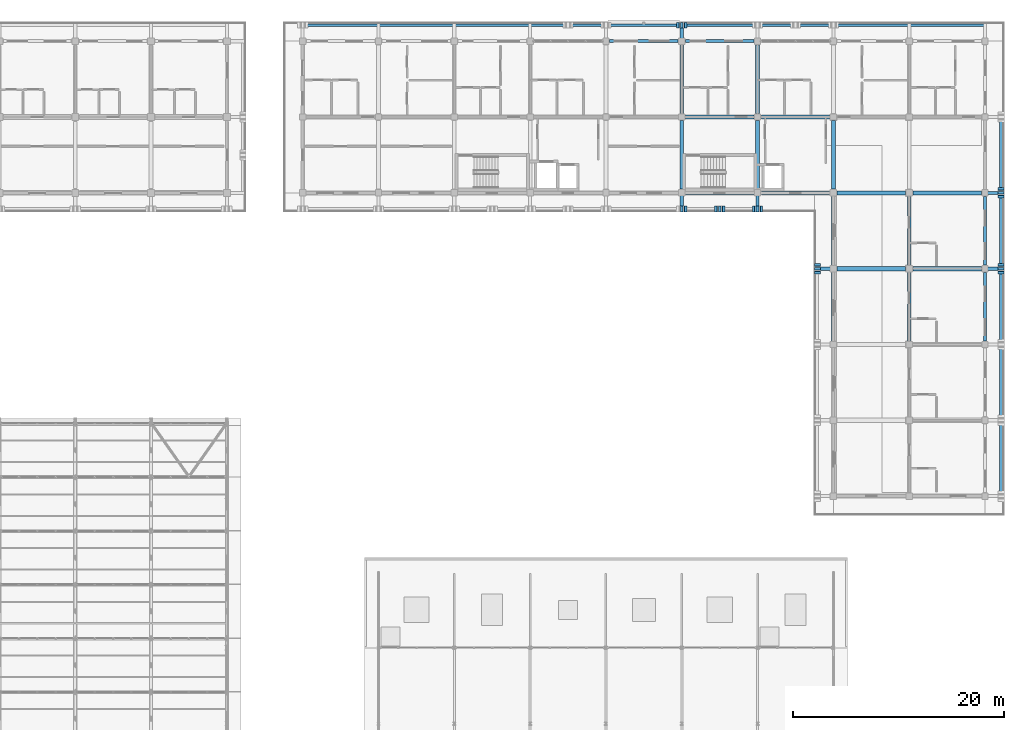
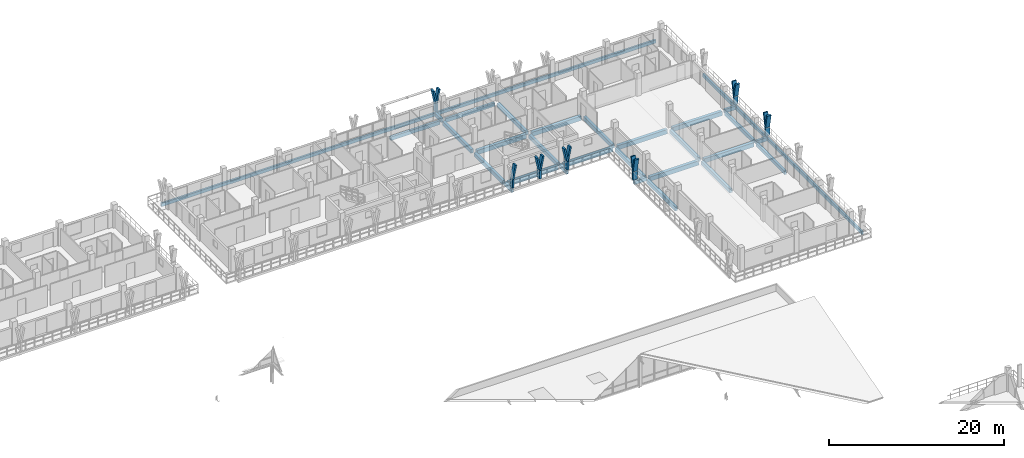
# One storey, part 90 of 157: 29 beams, 20 members.
"""IFC4 building model written with IfcOpenShell, lengths in metres."""

from ifc_helpers import new_model, si_unit, direction, frame, origin, origin_2d, place, context, subcontext, project, spatial, rectangle, extrude, material, material_profile, profile_set, type_object, element, save


model = new_model("IFC4")

# Units and contexts
model_context = context("Model", 3, precision=1e-05, world=origin(), true_north=direction((0.0, 1.0)))
body_context = subcontext(model_context, "Body", "Model", "MODEL_VIEW")
ifc_project = project(units=[si_unit("LENGTHUNIT", "METRE"), si_unit("AREAUNIT", "SQUARE_METRE"), si_unit("VOLUMEUNIT", "CUBIC_METRE"), si_unit("PLANEANGLEUNIT", "RADIAN"), si_unit("MASSUNIT", "GRAM", prefix="KILO")], contexts=[model_context])

# Site, building, storey
site_placement = place(None, origin())
site = spatial("IfcSite", under=ifc_project, at=site_placement, CompositionType="ELEMENT")
building_placement = place(site_placement, origin())
building = spatial("IfcBuilding", under=site, at=building_placement, Name="Suanplinth Sawtooth Commons", CompositionType="ELEMENT")
storey_placement = place(building_placement, frame((0.0, 0.0, 9.0)))
storey = spatial("IfcBuildingStorey", under=building, at=storey_placement, Name="L02", CompositionType="ELEMENT", Elevation=9.0)

# Beams
ifc_material_1 = material(Name="Precast concrete C40/50", Category="concrete")
ifc_material_profile_1 = material_profile(ifc_material_1, rectangle(XDim=0.39990234375, YDim=0.60009765625, at=origin_2d()), Name="PC-GDR 400x600")
ifc_profile_set_1 = profile_set([ifc_material_profile_1], Name="Precast concrete C40/50")
beam_type_1 = type_object("IfcBeamType", Name="B-05", PredefinedType="USERDEFINED", material=ifc_profile_set_1)
for number, where, z_axis, x_axis, name in (
    (1, (158.75, 108.0, -0.550048828125), (1.0, 0.0, 0.0), (0.0, 1.0, 0.0), "BMX-L02-B-22-15"),
    (2, (158.75, 115.199951171875, -0.550048828125), (1.0, 0.0, 0.0), (0.0, 1.0, 0.0), "BMX-L02-B-22-16"),
    (3, (165.949951171875, 108.0, -0.550048828125), (1.0, 0.0, 0.0), (0.0, 1.0, 0.0), "BMX-L02-B-23-15"),
    (4, (165.949951171875, 115.199951171875, -0.550048828125), (1.0, 0.0, 0.0), (0.0, 1.0, 0.0), "BMX-L02-B-23-16"),
    (5, (173.14990234375, 100.800048828125, -0.550048828125), (1.0, 0.0, 0.0), (0.0, 1.0, 0.0), "BMX-L02-B-24-14"),
    (6, (173.14990234375, 108.0, -0.550048828125), (1.0, 0.0, 0.0), (0.0, 1.0, 0.0), "BMX-L02-B-24-15"),
    (7, (180.35009765625, 100.800048828125, -0.550048828125), (1.0, 0.0, 0.0), (0.0, 1.0, 0.0), "BMX-L02-B-25-14"),
    (8, (180.35009765625, 108.0, -0.550048828125), (1.0, 0.0, 0.0), (0.0, 1.0, 0.0), "BMX-L02-B-25-15"),
):
    element("IfcBeam", number, at=place(storey_placement, frame(where, z_axis=z_axis, x_axis=x_axis)), inside=storey, type_object=beam_type_1, Name=name, ObjectType="GIRDER", PredefinedType="USERDEFINED", context=body_context, shape_type="SweptSolid", body=[
        extrude(rectangle(XDim=0.39990234375, YDim=0.60009765625, at=origin_2d()), origin(), (0.0, 0.0, 1.0), 6.5),
    ])
ifc_material_profile_2 = material_profile(ifc_material_1, rectangle(XDim=0.35009765625, YDim=0.550048828125, at=origin_2d()), Name="PC-BM 350x550")
ifc_profile_set_2 = profile_set([ifc_material_profile_2], Name="Precast concrete C40/50")
beam_type_2 = type_object("IfcBeamType", Name="B-06", PredefinedType="BEAM", material=ifc_profile_set_2)
for number, where, z_axis, x_axis, name in (
    (9, (158.39990234375, 108.35009765625, -0.52490234375), (0.0, 1.0, 0.0), (-1.0, 0.0, 0.0), "BMY-L02-B-22-15"),
    (10, (158.39990234375, 115.550048828125, -0.52490234375), (0.0, 1.0, 0.0), (-1.0, 0.0, 0.0), "BMY-L02-B-22-16"),
    (11, (165.60009765625, 108.35009765625, -0.52490234375), (0.0, 1.0, 0.0), (-1.0, 0.0, 0.0), "BMY-L02-B-23-15"),
    (12, (165.60009765625, 115.550048828125, -0.52490234375), (0.0, 1.0, 0.0), (-1.0, 0.0, 0.0), "BMY-L02-B-23-16"),
    (13, (172.800048828125, 93.949951171875, -0.52490234375), (0.0, 1.0, 0.0), (-1.0, 0.0, 0.0), "BMY-L02-B-24-13"),
    (14, (172.800048828125, 101.14990234375, -0.52490234375), (0.0, 1.0, 0.0), (-1.0, 0.0, 0.0), "BMY-L02-B-24-14"),
    (15, (172.800048828125, 108.35009765625, -0.52490234375), (0.0, 1.0, 0.0), (-1.0, 0.0, 0.0), "BMY-L02-B-24-15"),
    (16, (180.0, 93.949951171875, -0.52490234375), (0.0, 1.0, 0.0), (-1.0, 0.0, 0.0), "BMY-L02-B-25-13"),
    (17, (180.0, 101.14990234375, -0.52490234375), (0.0, 1.0, 0.0), (-1.0, 0.0, 0.0), "BMY-L02-B-25-14"),
):
    element("IfcBeam", number, at=place(storey_placement, frame(where, z_axis=z_axis, x_axis=x_axis)), inside=storey, type_object=beam_type_2, Name=name, PredefinedType="BEAM", context=body_context, shape_type="SweptSolid", body=[
        extrude(rectangle(XDim=0.35009765625, YDim=0.550048828125, at=origin_2d()), origin(), (0.0, 0.0, 1.0), 6.5),
    ])
ifc_material_profile_3 = material_profile(ifc_material_1, rectangle(XDim=0.300048828125, YDim=0.5, at=origin_2d()), Name="PC-BM 300x500")
ifc_profile_set_3 = profile_set([ifc_material_profile_3], Name="Precast concrete C40/50")
beam_type_3 = type_object("IfcBeamType", Name="B-07", PredefinedType="BEAM", material=ifc_profile_set_3)
for number, where, z_axis, x_axis, name in (
    (18, (158.39990234375, 122.39990234375, -0.429931640625), (0.0, 1.0, 0.0), (-1.0, 0.0, 0.0), "Balcony Outrigger L02-B-N-22"),
    (19, (187.199951171875, 100.800048828125, -0.429931640625), (1.0, 0.0, 0.0), (0.0, 1.0, 0.0), "Balcony Outrigger L02-B-E-14"),
    (20, (187.199951171875, 108.0, -0.429931640625), (1.0, 0.0, 0.0), (0.0, 1.0, 0.0), "Balcony Outrigger L02-B-E-15"),
):
    element("IfcBeam", number, at=place(storey_placement, frame(where, z_axis=z_axis, x_axis=x_axis)), inside=storey, type_object=beam_type_3, Name=name, PredefinedType="BEAM", context=body_context, shape_type="SweptSolid", body=[
        extrude(rectangle(XDim=0.300048828125, YDim=0.5, at=origin_2d()), origin(), (0.0, 0.0, 1.0), 1.64013671875),
    ])
for number, where, z_axis, x_axis, name in (
    (21, (158.39990234375, 108.0, -0.425048828125), (0.0, -1.0, 0.0), (1.0, 0.0, 0.0), "Balcony Outrigger L02-B-SC-22"),
    (22, (165.60009765625, 108.0, -0.425048828125), (0.0, -1.0, 0.0), (1.0, 0.0, 0.0), "Balcony Outrigger L02-B-SC-23"),
):
    element("IfcBeam", number, at=place(storey_placement, frame(where, z_axis=z_axis, x_axis=x_axis)), inside=storey, type_object=beam_type_3, Name=name, PredefinedType="BEAM", context=body_context, shape_type="SweptSolid", body=[
        extrude(rectangle(XDim=0.300048828125, YDim=0.5, at=origin_2d()), origin(), (0.0, 0.0, 1.0), 1.639892578125),
    ])
beam_1_placement = place(storey_placement, frame((172.800048828125, 100.800048828125, -0.425048828125), z_axis=(-1.0, 0.0, 0.0), x_axis=(0.0, -1.0, 0.0)))
element("IfcBeam", 23, at=beam_1_placement, inside=storey, type_object=beam_type_3, Name="Balcony Outrigger L02-B-WC-14", PredefinedType="BEAM", context=body_context, shape_type="SweptSolid", body=[
    extrude(rectangle(XDim=0.300048828125, YDim=0.5, at=origin_2d()), origin(), (0.0, 0.0, 1.0), 1.64013671875),
])
ifc_material_profile_4 = material_profile(ifc_material_1, rectangle(XDim=0.280029296875, YDim=0.52001953125, at=origin_2d()), Name="PC-SP 280x520")
ifc_profile_set_4 = profile_set([ifc_material_profile_4], Name="Precast concrete C40/50")
beam_type_4 = type_object("IfcBeamType", Name="B-08", PredefinedType="SPANDREL", material=ifc_profile_set_4)
for number, where, z_axis, x_axis, name in (
    (24, (151.550048828125, 122.39990234375, -0.510009765625), (1.0, 0.0, 0.0), (0.0, 1.0, 0.0), "BMX-L02-B-21-17"),
    (25, (158.75, 122.39990234375, -0.510009765625), (1.0, 0.0, 0.0), (0.0, 1.0, 0.0), "BMX-L02-B-22-17"),
    (26, (187.199951171875, 93.949951171875, -0.510009765625), (0.0, 1.0, 0.0), (-1.0, 0.0, 0.0), "BMY-L02-B-26-13"),
    (27, (187.199951171875, 101.14990234375, -0.510009765625), (0.0, 1.0, 0.0), (-1.0, 0.0, 0.0), "BMY-L02-B-26-14"),
):
    element("IfcBeam", number, at=place(storey_placement, frame(where, z_axis=z_axis, x_axis=x_axis)), inside=storey, type_object=beam_type_4, Name=name, PredefinedType="SPANDREL", context=body_context, shape_type="SweptSolid", body=[
        extrude(rectangle(XDim=0.280029296875, YDim=0.52001953125, at=origin_2d()), origin(), (0.0, 0.0, 1.0), 6.5),
    ])
ifc_material_profile_5 = material_profile(ifc_material_1, rectangle(XDim=0.25, YDim=0.449951171875, at=origin_2d()), Name="PC-SP 250x450")
ifc_profile_set_5 = profile_set([ifc_material_profile_5], Name="Precast concrete C40/50")
beam_type_5 = type_object("IfcBeamType", Name="B-09", PredefinedType="SPANDREL", material=ifc_profile_set_5)
beam_2_placement = place(storey_placement, frame((122.25, 123.919921875, -0.405029296875), z_axis=(1.0, 0.0, 0.0), x_axis=(0.0, 1.0, 0.0)))
element("IfcBeam", 28, at=beam_2_placement, inside=storey, type_object=beam_type_5, Name="Balcony Edge Fascia L02-B-N", PredefinedType="SPANDREL", context=body_context, shape_type="SweptSolid", body=[
    extrude(rectangle(XDim=0.25, YDim=0.449951171875, at=origin_2d()), origin(), (0.0, 0.0, 1.0), 65.10009765625),
])
beam_3_placement = place(storey_placement, frame((188.719970703125, 79.050048828125, -0.405029296875), z_axis=(0.0, 1.0, 0.0), x_axis=(-1.0, 0.0, 0.0)))
element("IfcBeam", 29, at=beam_3_placement, inside=storey, type_object=beam_type_5, Name="Balcony Edge Fascia L02-B-E", PredefinedType="SPANDREL", context=body_context, shape_type="SweptSolid", body=[
    extrude(rectangle(XDim=0.25, YDim=0.449951171875, at=origin_2d()), origin(), (0.0, 0.0, 1.0), 36.300048828125),
])

# Members
ifc_material_2 = material(Name="Pigmented precast concrete C40/50", Category="concrete")
ifc_material_profile_6 = material_profile(ifc_material_2, rectangle(XDim=0.260009765625, YDim=0.550048828125, at=origin_2d()), Name="PC-FIN 260x550")
ifc_profile_set_6 = profile_set([ifc_material_profile_6], Name="Pigmented precast concrete C40/50")
member_type_1 = type_object("IfcMemberType", Name="M-09", PredefinedType="USERDEFINED", material=ifc_profile_set_6)
for number, where, z_axis, x_axis, name in (
    (30, (158.39990234375, 123.919921875, 0.0), (0.0, 0.0, 1.0), (1.0, 0.0, 0.0), "Y-Blade Stem L02-B-N-04"),
    (31, (188.719970703125, 100.800048828125, 0.0), (0.0, 0.0, 1.0), (0.0, 1.0, 0.0), "Y-Blade Stem L02-B-E-11"),
    (32, (188.719970703125, 108.0, 0.0), (0.0, 0.0, 1.0), (0.0, 1.0, 0.0), "Y-Blade Stem L02-B-E-12"),
    (33, (158.39990234375, 106.47998046875, 0.0), (0.0, 0.0, 1.0), (1.0, 0.0, 0.0), "Y-Blade Stem L02-B-SC-21"),
    (34, (162.0, 106.47998046875, 0.0), (0.0, 0.0, 1.0), (1.0, 0.0, 0.0), "Y-Blade Stem L02-B-SC-22"),
    (35, (165.60009765625, 106.47998046875, 0.0), (0.0, 0.0, 1.0), (1.0, 0.0, 0.0), "Y-Blade Stem L02-B-SC-23"),
    (36, (171.280029296875, 100.800048828125, 0.0), (0.0, 0.0, 1.0), (0.0, 1.0, 0.0), "Y-Blade Stem L02-B-WC-27"),
):
    element("IfcMember", number, at=place(storey_placement, frame(where, z_axis=z_axis, x_axis=x_axis)), inside=storey, type_object=member_type_1, Name=name, ObjectType="SHADING FIN", PredefinedType="USERDEFINED", context=body_context, shape_type="SweptSolid", body=[
        extrude(rectangle(XDim=0.260009765625, YDim=0.550048828125, at=origin_2d()), origin(), (0.0, 0.0, 1.0), 1.169921875),
    ])
ifc_material_profile_7 = material_profile(ifc_material_2, rectangle(XDim=0.219970703125, YDim=0.550048828125, at=origin_2d()), Name="PC-FIN 220x550")
ifc_profile_set_7 = profile_set([ifc_material_profile_7], Name="Pigmented precast concrete C40/50")
member_type_2 = type_object("IfcMemberType", Name="M-10", PredefinedType="USERDEFINED", material=ifc_profile_set_7)
member_1_placement = place(storey_placement, frame((158.39990234375, 123.919921875, 1.1298828125), z_axis=(-0.196285728346, 0.0, 0.980546741796), x_axis=(0.980546741796, 0.0, 0.196285728346)))
element("IfcMember", 37, at=member_1_placement, inside=storey, type_object=member_type_2, Name="Y-Blade Arm L L02-B-N-04", ObjectType="SHADING FIN", PredefinedType="USERDEFINED", context=body_context, shape_type="SweptSolid", body=[
    extrude(rectangle(XDim=0.219970703125, YDim=0.550048828125, at=origin_2d()), origin(), (0.0, 0.0, 1.0), 1.937744140625),
])
for number, where, z_axis, x_axis, name in (
    (38, (158.39990234375, 123.919921875, 1.1298828125), (0.196406855569, 0.0, 0.980522486782), (-0.980522486782, 0.0, 0.196406855569), "Y-Blade Arm R L02-B-N-04"),
    (39, (188.719970703125, 100.800048828125, 1.1298828125), (0.0, -0.196406855569, 0.980522486782), (0.0, 0.980522486782, 0.196406855569), "Y-Blade Arm L L02-B-E-11"),
):
    element("IfcMember", number, at=place(storey_placement, frame(where, z_axis=z_axis, x_axis=x_axis)), inside=storey, type_object=member_type_2, Name=name, ObjectType="SHADING FIN", PredefinedType="USERDEFINED", context=body_context, shape_type="SweptSolid", body=[
        extrude(rectangle(XDim=0.219970703125, YDim=0.550048828125, at=origin_2d()), origin(), (0.0, 0.0, 1.0), 1.93798828125),
    ])
member_2_placement = place(storey_placement, frame((188.719970703125, 100.800048828125, 1.1298828125), z_axis=(0.0, 0.196285728346, 0.980546741796), x_axis=(0.0, -0.980546741796, 0.196285728346)))
element("IfcMember", 40, at=member_2_placement, inside=storey, type_object=member_type_2, Name="Y-Blade Arm R L02-B-E-11", ObjectType="SHADING FIN", PredefinedType="USERDEFINED", context=body_context, shape_type="SweptSolid", body=[
    extrude(rectangle(XDim=0.219970703125, YDim=0.550048828125, at=origin_2d()), origin(), (0.0, 0.0, 1.0), 1.937744140625),
])
for number, where, z_axis, x_axis, name in (
    (41, (188.719970703125, 108.0, 1.1298828125), (0.0, -0.196406855569, 0.980522486782), (0.0, 0.980522486782, 0.196406855569), "Y-Blade Arm L L02-B-E-12"),
    (42, (188.719970703125, 108.0, 1.1298828125), (0.0, 0.196406855569, 0.980522486782), (0.0, -0.980522486782, 0.196406855569), "Y-Blade Arm R L02-B-E-12"),
    (43, (158.39990234375, 106.47998046875, 1.1298828125), (0.196406855569, 0.0, 0.980522486782), (-0.980522486782, 0.0, 0.196406855569), "Y-Blade Arm R L02-B-SC-21"),
    (44, (162.0, 106.47998046875, 1.1298828125), (-0.196406855569, 0.0, 0.980522486782), (0.980522486782, 0.0, 0.196406855569), "Y-Blade Arm L L02-B-SC-22"),
    (45, (162.0, 106.47998046875, 1.1298828125), (0.196406855569, 0.0, 0.980522486782), (-0.980522486782, 0.0, 0.196406855569), "Y-Blade Arm R L02-B-SC-22"),
    (46, (165.60009765625, 106.47998046875, 1.1298828125), (-0.196406855569, 0.0, 0.980522486782), (0.980522486782, 0.0, 0.196406855569), "Y-Blade Arm L L02-B-SC-23"),
):
    element("IfcMember", number, at=place(storey_placement, frame(where, z_axis=z_axis, x_axis=x_axis)), inside=storey, type_object=member_type_2, Name=name, ObjectType="SHADING FIN", PredefinedType="USERDEFINED", context=body_context, shape_type="SweptSolid", body=[
        extrude(rectangle(XDim=0.219970703125, YDim=0.550048828125, at=origin_2d()), origin(), (0.0, 0.0, 1.0), 1.93798828125),
    ])
member_3_placement = place(storey_placement, frame((165.60009765625, 106.47998046875, 1.1298828125), z_axis=(0.196285728346, 0.0, 0.980546741796), x_axis=(-0.980546741796, 0.0, 0.196285728346)))
element("IfcMember", 47, at=member_3_placement, inside=storey, type_object=member_type_2, Name="Y-Blade Arm R L02-B-SC-23", ObjectType="SHADING FIN", PredefinedType="USERDEFINED", context=body_context, shape_type="SweptSolid", body=[
    extrude(rectangle(XDim=0.219970703125, YDim=0.550048828125, at=origin_2d()), origin(), (0.0, 0.0, 1.0), 1.937744140625),
])
member_4_placement = place(storey_placement, frame((171.280029296875, 100.800048828125, 1.1298828125), z_axis=(0.0, -0.196406855569, 0.980522486782), x_axis=(0.0, 0.980522486782, 0.196406855569)))
element("IfcMember", 48, at=member_4_placement, inside=storey, type_object=member_type_2, Name="Y-Blade Arm L L02-B-WC-27", ObjectType="SHADING FIN", PredefinedType="USERDEFINED", context=body_context, shape_type="SweptSolid", body=[
    extrude(rectangle(XDim=0.219970703125, YDim=0.550048828125, at=origin_2d()), origin(), (0.0, 0.0, 1.0), 1.93798828125),
])
member_5_placement = place(storey_placement, frame((171.280029296875, 100.800048828125, 1.1298828125), z_axis=(0.0, 0.196285728346, 0.980546741796), x_axis=(0.0, -0.980546741796, 0.196285728346)))
element("IfcMember", 49, at=member_5_placement, inside=storey, type_object=member_type_2, Name="Y-Blade Arm R L02-B-WC-27", ObjectType="SHADING FIN", PredefinedType="USERDEFINED", context=body_context, shape_type="SweptSolid", body=[
    extrude(rectangle(XDim=0.219970703125, YDim=0.550048828125, at=origin_2d()), origin(), (0.0, 0.0, 1.0), 1.937744140625),
])

save(model, "model.ifc")
